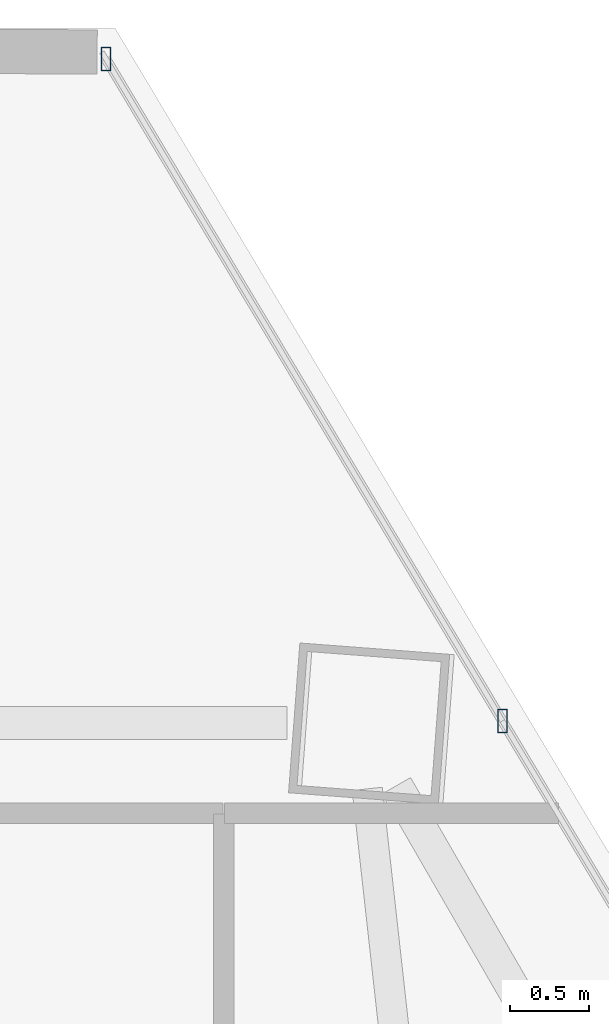
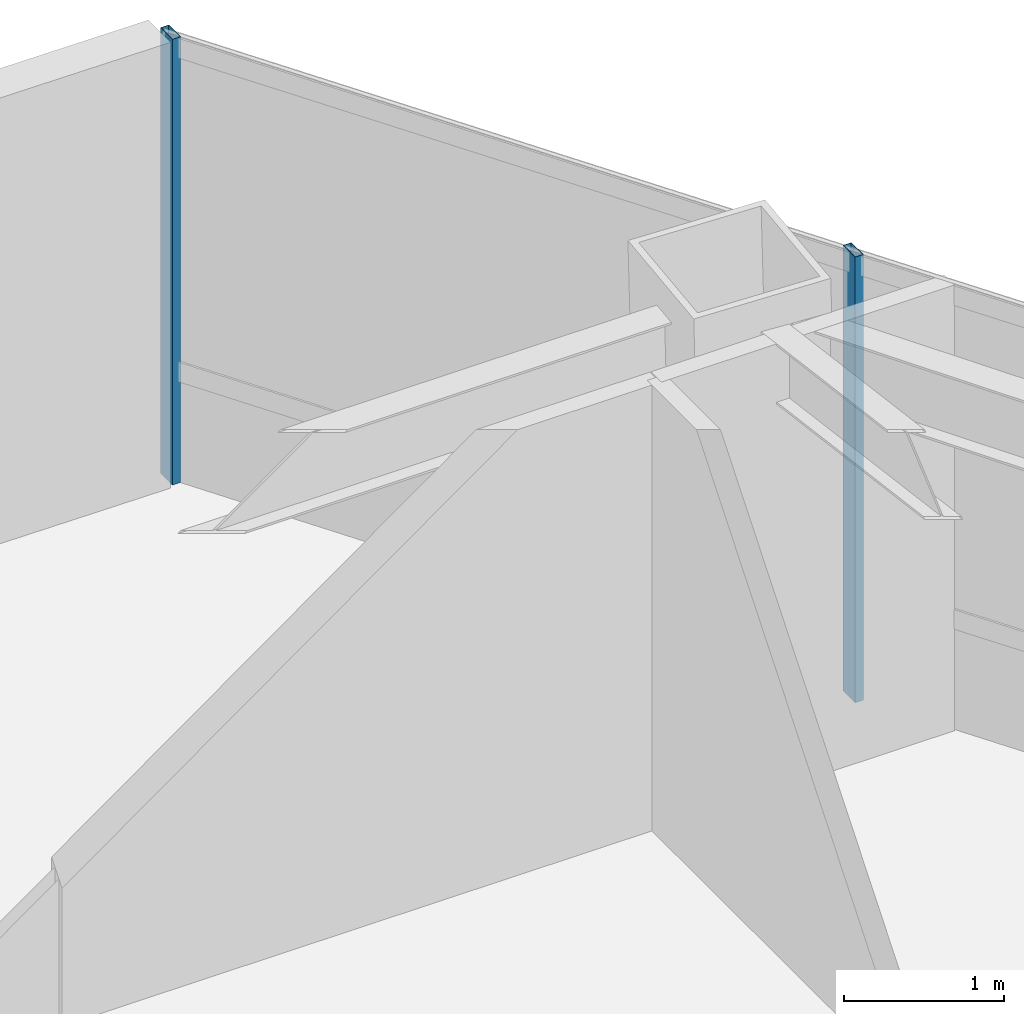
# One storey, part 30 of 40: 2 members, 1 element without a shape of its own.
"""IFC4 building model written with IfcOpenShell, lengths in metres."""

from ifc_helpers import new_model, si_unit, direction, frame, origin, origin_2d, place, context, subcontext, project, spatial, hollow_rectangle, extrude, source, transform, mapped, material, material_profile, profile_set, type_object, type_shapes, element, aggregate, save


model = new_model("IFC4")

# Units and contexts
model_context = context("Model", 3, precision=1e-05, world=origin(), true_north=direction((0.0, 1.0)))
body_context = subcontext(model_context, "Body", "Model", "MODEL_VIEW")
ifc_project = project(units=[si_unit("LENGTHUNIT", "METRE"), si_unit("AREAUNIT", "SQUARE_METRE"), si_unit("VOLUMEUNIT", "CUBIC_METRE"), si_unit("PLANEANGLEUNIT", "RADIAN"), si_unit("MASSUNIT", "GRAM", prefix="KILO")], contexts=[model_context])

# Site, building, storey
site_placement = place(None, origin())
site = spatial("IfcSite", under=ifc_project, at=site_placement, CompositionType="ELEMENT")
building_placement = place(site_placement, origin())
building = spatial("IfcBuilding", under=site, at=building_placement, Name="Caelisora Broadcast Tower", CompositionType="ELEMENT")
storey_placement = place(building_placement, frame((0.0, 0.0, 176.75)))
storey = spatial("IfcBuildingStorey", under=building, at=storey_placement, Name="L46", CompositionType="ELEMENT", Elevation=176.75)

# Curtain wall, members
ifc_material_1 = material(Name="Unitised Aluminium and Low-E Glass Curtain Wall", Category="glass")
curtain_wall_type = type_object("IfcCurtainWallType", Name="CW-Z3", PredefinedType="NOTDEFINED", material=ifc_material_1)
curtain_wall_placement = place(storey_placement, origin())
curtain_wall = element("IfcCurtainWall", 1, at=curtain_wall_placement, inside=storey, type_object=curtain_wall_type, Name="L46 curtain wall CW-Z3", PredefinedType="NOTDEFINED")
ifc_material_2 = material(Name="Aluminium 6063-T6 Anodised Terracotta Bronze", Category="aluminium")
ifc_material_profile = material_profile(ifc_material_2, hollow_rectangle(XDim=0.06005859375, YDim=0.14990234375, WallThickness=0.00341796875, at=origin_2d()), Name="Aluminium 6063-T6 Anodised Terracotta Bronze")
ifc_profile_set = profile_set([ifc_material_profile], Name="Aluminium 6063-T6 Anodised Terracotta Bronze")
member_type = type_object("IfcMemberType", Name="CWM-03", PredefinedType="MULLION", material=ifc_profile_set)
shared_shape = source(origin(), body_context, "Body", "SweptSolid", [
    extrude(hollow_rectangle(XDim=0.06005859375, YDim=0.14990234375, WallThickness=0.00341796875, at=origin_2d()), origin(), (0.0, 0.0, 1.0), 3.39990234375),
])
type_shapes(member_type, [shared_shape])
member_1_placement = place(storey_placement, frame((42.0556640625, 50.739990234375, 0.0), z_axis=(0.0, 0.0, 1.0), x_axis=(1.0, 0.0, 0.0)))
member_1 = element("IfcMember", 2, at=member_1_placement, type_object=member_type, Name="L46-CW-B01 mullion #0", PredefinedType="MULLION", context=body_context, shape_type="MappedRepresentation", body=[
    mapped(shared_shape, transform((0.0, 0.0, 0.0), scale=1.0)),
])
member_2_placement = place(storey_placement, frame((44.56298828125, 46.55322265625, 0.0), z_axis=(0.0, 0.0, 1.0), x_axis=(1.0, 0.0, 0.0)))
member_2 = element("IfcMember", 3, at=member_2_placement, type_object=member_type, Name="L46-CW-B01 mullion #1", PredefinedType="MULLION", context=body_context, shape_type="MappedRepresentation", body=[
    mapped(shared_shape, transform((0.0, 0.0, 0.0), scale=1.0)),
])
aggregate(curtain_wall, [member_1, member_2])

save(model, "model.ifc")
